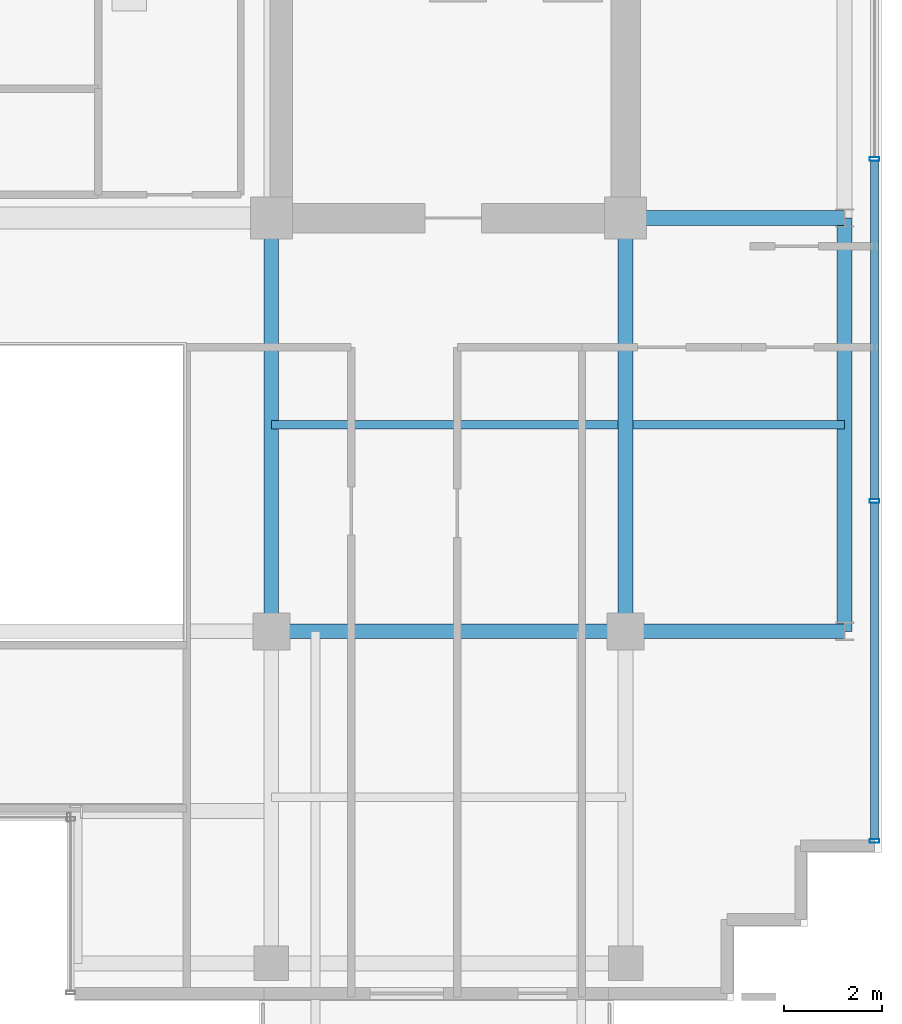
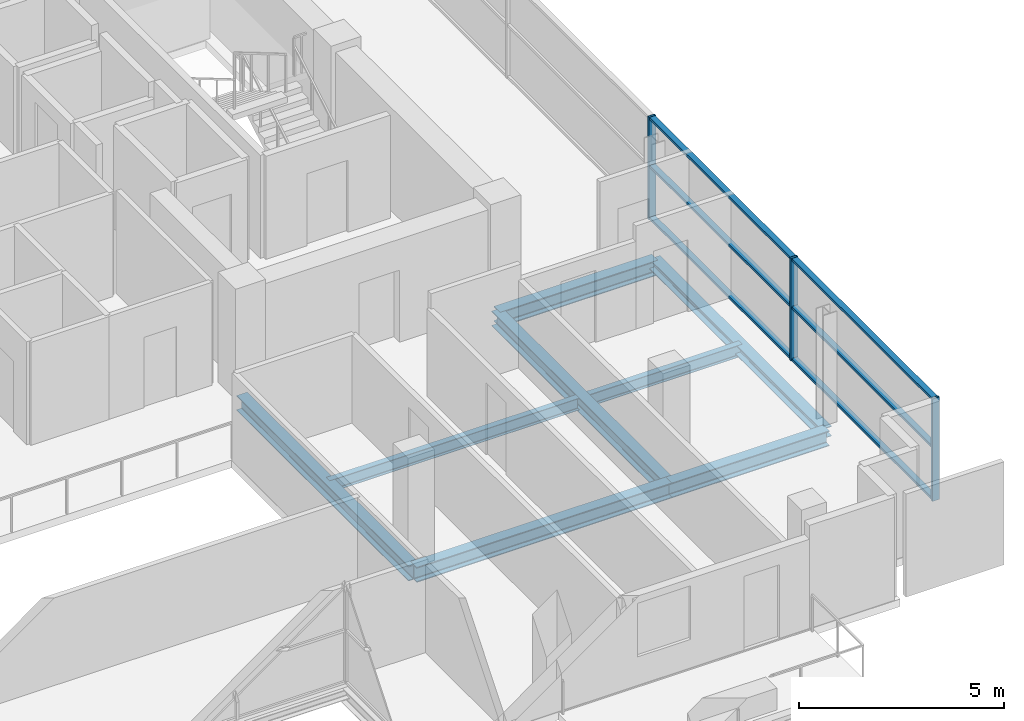
# One storey, part 8 of 22: 9 members, 8 beams, 1 element without a shape of its own.
"""IFC4 building model written with IfcOpenShell, lengths in metres."""

from ifc_helpers import new_model, si_unit, direction, frame, origin, origin_2d, place, context, subcontext, project, spatial, hollow_rectangle, i_section, extrude, source, transform, mapped, material, layer, layer_set, material_profile, profile_set, type_object, element, aggregate, save


model = new_model("IFC4")

# Units and contexts
model_context = context("Model", 3, precision=1e-05, world=origin(), true_north=direction((0.0, 1.0)))
body_context = subcontext(model_context, "Body", "Model", "MODEL_VIEW")
ifc_project = project(units=[si_unit("LENGTHUNIT", "METRE"), si_unit("AREAUNIT", "SQUARE_METRE"), si_unit("VOLUMEUNIT", "CUBIC_METRE"), si_unit("PLANEANGLEUNIT", "RADIAN"), si_unit("MASSUNIT", "GRAM", prefix="KILO")], contexts=[model_context])

# Site, building, storey
site_placement = place(None, origin())
site = spatial("IfcSite", under=ifc_project, at=site_placement, CompositionType="ELEMENT")
building_placement = place(site_placement, origin())
building = spatial("IfcBuilding", under=site, at=building_placement, Name="Zarnakvel Exchange Tower", CompositionType="ELEMENT")
storey_placement = place(building_placement, frame((0.0, 0.0, 228.699951171875)))
storey = spatial("IfcBuildingStorey", under=building, at=storey_placement, Name="L64", CompositionType="ELEMENT", Elevation=228.699951171875)

# Beams
ifc_material_1 = material(Name="Steel S355", Category="steel")
ifc_material_profile_1 = material_profile(ifc_material_1, i_section(OverallWidth=0.169921875, OverallDepth=0.360107421875, WebThickness=0.008056640625, FlangeThickness=0.0126953125, FilletRadius=0.01806640625, at=origin_2d()))
ifc_profile_set_1 = profile_set([ifc_material_profile_1], Name="Steel S355")
beam_type_1 = type_object("IfcBeamType", Name="B-07", PredefinedType="JOIST", material=ifc_profile_set_1)
beam_1_placement = place(storey_placement, frame((7.199951171875, -5.39990234375, -0.405029296875), z_axis=(1.0, 0.0, 0.0), x_axis=(0.0, 1.0, 0.0)))
element("IfcBeam", 1, at=beam_1_placement, inside=storey, type_object=beam_type_1, Name="L64 Composite Floor Secondary Joist", PredefinedType="JOIST", context=body_context, shape_type="SweptSolid", body=[
    extrude(i_section(OverallWidth=0.169921875, OverallDepth=0.360107421875, WebThickness=0.008056640625, FlangeThickness=0.0126953125, FilletRadius=0.01806640625, at=origin_2d()), origin(), (0.0, 0.0, 1.0), 7.050048828125),
])
beam_2_placement = place(storey_placement, frame((14.550048828125, -5.39990234375, -0.405029296875), z_axis=(1.0, 0.0, 0.0), x_axis=(0.0, 1.0, 0.0)))
element("IfcBeam", 2, at=beam_2_placement, inside=storey, type_object=beam_type_1, Name="L64 Composite Floor Secondary Joist", PredefinedType="JOIST", context=body_context, shape_type="SweptSolid", body=[
    extrude(i_section(OverallWidth=0.169921875, OverallDepth=0.360107421875, WebThickness=0.008056640625, FlangeThickness=0.0126953125, FilletRadius=0.01806640625, at=origin_2d()), origin(), (0.0, 0.0, 1.0), 4.300048828125),
])
ifc_material_profile_2 = material_profile(ifc_material_1, i_section(OverallWidth=0.300048828125, OverallDepth=0.449951171875, WebThickness=0.013916015625, FlangeThickness=0.02587890625, FilletRadius=0.027099609375, at=origin_2d()))
ifc_profile_set_2 = profile_set([ifc_material_profile_2], Name="Steel S355")
beam_type_2 = type_object("IfcBeamType", Name="G-07", PredefinedType="BEAM", material=ifc_profile_set_2)
beam_3_placement = place(storey_placement, frame((7.199951171875, -9.60009765625, -0.449951171875), z_axis=(1.0, 0.0, 0.0), x_axis=(0.0, 1.0, 0.0)))
element("IfcBeam", 3, at=beam_3_placement, inside=storey, type_object=beam_type_2, Name="L64 Tower E-W Frame Beam", PredefinedType="BEAM", context=body_context, shape_type="SweptSolid", body=[
    extrude(i_section(OverallWidth=0.300048828125, OverallDepth=0.449951171875, WebThickness=0.013916015625, FlangeThickness=0.02587890625, FilletRadius=0.027099609375, at=origin_2d()), origin(), (0.0, 0.0, 1.0), 7.199951171875),
])
for number, where, z_axis, x_axis, name in (
    (4, (14.39990234375, -9.60009765625, -0.449951171875), (1.0, 0.0, 0.0), (0.0, 1.0, 0.0), "L64 Tower E-W Frame Beam"),
    (5, (14.39990234375, -1.199951171875, -0.449951171875), (1.0, 0.0, 0.0), (0.0, 1.0, 0.0), "L64 Tower E-W Frame Beam"),
):
    element("IfcBeam", number, at=place(storey_placement, frame(where, z_axis=z_axis, x_axis=x_axis)), inside=storey, type_object=beam_type_2, Name=name, PredefinedType="BEAM", context=body_context, shape_type="SweptSolid", body=[
        extrude(i_section(OverallWidth=0.300048828125, OverallDepth=0.449951171875, WebThickness=0.013916015625, FlangeThickness=0.02587890625, FilletRadius=0.027099609375, at=origin_2d()), origin(), (0.0, 0.0, 1.0), 4.4501953125),
    ])
for number, where, z_axis, x_axis, name in (
    (6, (7.199951171875, -9.60009765625, -0.449951171875), (0.0, 1.0, 0.0), (-1.0, 0.0, 0.0), "L64 Tower N-S Frame Beam"),
    (7, (14.39990234375, -9.60009765625, -0.449951171875), (0.0, 1.0, 0.0), (-1.0, 0.0, 0.0), "L64 Tower N-S Frame Beam"),
):
    element("IfcBeam", number, at=place(storey_placement, frame(where, z_axis=z_axis, x_axis=x_axis)), inside=storey, type_object=beam_type_2, Name=name, PredefinedType="BEAM", context=body_context, shape_type="SweptSolid", body=[
        extrude(i_section(OverallWidth=0.300048828125, OverallDepth=0.449951171875, WebThickness=0.013916015625, FlangeThickness=0.02587890625, FilletRadius=0.027099609375, at=origin_2d()), origin(), (0.0, 0.0, 1.0), 8.400146484375),
    ])
ifc_material_profile_3 = material_profile(ifc_material_1, i_section(OverallWidth=0.300048828125, OverallDepth=0.300048828125, WebThickness=0.010986328125, FlangeThickness=0.01904296875, FilletRadius=0.027099609375, at=origin_2d()))
ifc_profile_set_3 = profile_set([ifc_material_profile_3], Name="Steel S355")
beam_type_3 = type_object("IfcBeamType", Name="SP-03", PredefinedType="SPANDREL", material=ifc_profile_set_3)
beam_4_placement = place(storey_placement, frame((18.85009765625, -9.60009765625, -0.375), z_axis=(0.0, 1.0, 0.0), x_axis=(-1.0, 0.0, 0.0)))
element("IfcBeam", 8, at=beam_4_placement, inside=storey, type_object=beam_type_3, Name="L64 Tower N-S Frame Beam", PredefinedType="SPANDREL", context=body_context, shape_type="SweptSolid", body=[
    extrude(i_section(OverallWidth=0.300048828125, OverallDepth=0.300048828125, WebThickness=0.010986328125, FlangeThickness=0.01904296875, FilletRadius=0.027099609375, at=origin_2d()), origin(), (0.0, 0.0, 1.0), 8.400146484375),
])

# Curtain wall, members
ifc_material_2 = material(Name="Architectural Bronze Anodised Aluminium", Category="aluminium")
ifc_layer = layer(ifc_material_2, 0.199951171875)
ifc_layer_set = layer_set([ifc_layer], Name="Architectural Bronze Anodised Aluminium")
curtain_wall_type = type_object("IfcCurtainWallType", Name="CW-04", PredefinedType="NOTDEFINED", material=ifc_layer_set)
curtain_wall_placement = place(storey_placement, origin())
curtain_wall = element("IfcCurtainWall", 9, at=curtain_wall_placement, inside=storey, type_object=curtain_wall_type, Name="L64 Curtain Wall CW-L64-E1 (CW-04)", PredefinedType="NOTDEFINED")
ifc_material_profile_4 = material_profile(ifc_material_2, hollow_rectangle(XDim=0.199951171875, YDim=0.074951171875, WallThickness=0.0048828125, at=origin_2d()))
ifc_profile_set_4 = profile_set([ifc_material_profile_4], Name="Architectural Bronze Anodised Aluminium")
member_type_1 = type_object("IfcMemberType", Name="CWM-04", PredefinedType="MULLION", material=ifc_profile_set_4)
shared_shape_1 = source(origin(), body_context, "Body", "SweptSolid", [
    extrude(hollow_rectangle(XDim=0.199951171875, YDim=0.074951171875, WallThickness=0.0048828125, at=origin_2d()), origin(), (0.0, 0.0, 1.0), 3.054931640625),
])
member_1_placement = place(storey_placement, frame((19.4599609375, -13.862548828125, 0.0), z_axis=(0.0, 0.0, 1.0), x_axis=(-1.0, 0.0, 0.0)))
member_1 = element("IfcMember", 10, at=member_1_placement, type_object=member_type_1, Name="CW-04 mullion 1", PredefinedType="MULLION", context=body_context, shape_type="MappedRepresentation", body=[
    mapped(shared_shape_1, transform((0.0, 0.0, 0.0), x_axis=(1.0, 0.0, 0.0), y_axis=(0.0, 1.0, 0.0), z_axis=(0.0, 0.0, 1.0), scale=1.0)),
])
member_2_placement = place(storey_placement, frame((19.4599609375, -6.949951171875, 0.0), z_axis=(0.0, 0.0, 1.0), x_axis=(-1.0, 0.0, 0.0)))
member_2 = element("IfcMember", 11, at=member_2_placement, type_object=member_type_1, Name="CW-04 mullion 2", PredefinedType="MULLION", context=body_context, shape_type="MappedRepresentation", body=[
    mapped(shared_shape_1, transform((0.0, 0.0, 0.0), x_axis=(1.0, 0.0, 0.0), y_axis=(0.0, 1.0, 0.0), z_axis=(0.0, 0.0, 1.0), scale=1.0)),
])
member_3_placement = place(storey_placement, frame((19.4599609375, 0.0, 0.0), z_axis=(0.0, 0.0, 1.0), x_axis=(-1.0, 0.0, 0.0)))
member_3 = element("IfcMember", 12, at=member_3_placement, type_object=member_type_1, Name="CW-04 mullion 3", PredefinedType="MULLION", context=body_context, shape_type="MappedRepresentation", body=[
    mapped(shared_shape_1, transform((0.0, 0.0, 0.0), x_axis=(1.0, 0.0, 0.0), y_axis=(0.0, 1.0, 0.0), z_axis=(0.0, 0.0, 1.0), scale=1.0)),
])
ifc_material_profile_5 = material_profile(ifc_material_2, hollow_rectangle(XDim=0.159912109375, YDim=0.074951171875, WallThickness=0.00390625, at=origin_2d()))
ifc_profile_set_5 = profile_set([ifc_material_profile_5], Name="Architectural Bronze Anodised Aluminium")
member_type_2 = type_object("IfcMemberType", Name="CWT-04", PredefinedType="USERDEFINED", material=ifc_profile_set_5)
shared_shape_2 = source(origin(), body_context, "Body", "SweptSolid", [
    extrude(hollow_rectangle(XDim=0.159912109375, YDim=0.074951171875, WallThickness=0.00390625, at=origin_2d()), origin(), (0.0, 0.0, 1.0), 6.83740234375),
])
member_4_placement = place(storey_placement, frame((19.4599609375, -13.824951171875, 0.03759765625), z_axis=(0.0, 1.0, 0.0), x_axis=(-1.0, 0.0, 0.0)))
member_4 = element("IfcMember", 13, at=member_4_placement, type_object=member_type_2, Name="CW-04 transom 1.1", ObjectType="TRANSOM", PredefinedType="USERDEFINED", context=body_context, shape_type="MappedRepresentation", body=[
    mapped(shared_shape_2, transform((0.0, 0.0, 0.0), x_axis=(1.0, 0.0, 0.0), y_axis=(0.0, 1.0, 0.0), z_axis=(0.0, 0.0, 1.0), scale=1.0)),
])
member_5_placement = place(storey_placement, frame((19.4599609375, -13.824951171875, 1.588623046875), z_axis=(0.0, 1.0, 0.0), x_axis=(-1.0, 0.0, 0.0)))
member_5 = element("IfcMember", 14, at=member_5_placement, type_object=member_type_2, Name="CW-04 transom 1.2", ObjectType="TRANSOM", PredefinedType="USERDEFINED", context=body_context, shape_type="MappedRepresentation", body=[
    mapped(shared_shape_2, transform((0.0, 0.0, 0.0), x_axis=(1.0, 0.0, 0.0), y_axis=(0.0, 1.0, 0.0), z_axis=(0.0, 0.0, 1.0), scale=1.0)),
])
member_6_placement = place(storey_placement, frame((19.4599609375, -13.824951171875, 3.017578125), z_axis=(0.0, 1.0, 0.0), x_axis=(-1.0, 0.0, 0.0)))
member_6 = element("IfcMember", 15, at=member_6_placement, type_object=member_type_2, Name="CW-04 transom 1.3", ObjectType="TRANSOM", PredefinedType="USERDEFINED", context=body_context, shape_type="MappedRepresentation", body=[
    mapped(shared_shape_2, transform((0.0, 0.0, 0.0), x_axis=(1.0, 0.0, 0.0), y_axis=(0.0, 1.0, 0.0), z_axis=(0.0, 0.0, 1.0), scale=1.0)),
])
shared_shape_3 = source(origin(), body_context, "Body", "SweptSolid", [
    extrude(hollow_rectangle(XDim=0.159912109375, YDim=0.074951171875, WallThickness=0.00390625, at=origin_2d()), origin(), (0.0, 0.0, 1.0), 6.875),
])
member_7_placement = place(storey_placement, frame((19.4599609375, -6.91259765625, 0.03759765625), z_axis=(0.0, 1.0, 0.0), x_axis=(-1.0, 0.0, 0.0)))
member_7 = element("IfcMember", 16, at=member_7_placement, type_object=member_type_2, Name="CW-04 transom 2.1", ObjectType="TRANSOM", PredefinedType="USERDEFINED", context=body_context, shape_type="MappedRepresentation", body=[
    mapped(shared_shape_3, transform((0.0, 0.0, 0.0), x_axis=(1.0, 0.0, 0.0), y_axis=(0.0, 1.0, 0.0), z_axis=(0.0, 0.0, 1.0), scale=1.0)),
])
member_8_placement = place(storey_placement, frame((19.4599609375, -6.91259765625, 1.588623046875), z_axis=(0.0, 1.0, 0.0), x_axis=(-1.0, 0.0, 0.0)))
member_8 = element("IfcMember", 17, at=member_8_placement, type_object=member_type_2, Name="CW-04 transom 2.2", ObjectType="TRANSOM", PredefinedType="USERDEFINED", context=body_context, shape_type="MappedRepresentation", body=[
    mapped(shared_shape_3, transform((0.0, 0.0, 0.0), x_axis=(1.0, 0.0, 0.0), y_axis=(0.0, 1.0, 0.0), z_axis=(0.0, 0.0, 1.0), scale=1.0)),
])
member_9_placement = place(storey_placement, frame((19.4599609375, -6.91259765625, 3.017578125), z_axis=(0.0, 1.0, 0.0), x_axis=(-1.0, 0.0, 0.0)))
member_9 = element("IfcMember", 18, at=member_9_placement, type_object=member_type_2, Name="CW-04 transom 2.3", ObjectType="TRANSOM", PredefinedType="USERDEFINED", context=body_context, shape_type="MappedRepresentation", body=[
    mapped(shared_shape_3, transform((0.0, 0.0, 0.0), x_axis=(1.0, 0.0, 0.0), y_axis=(0.0, 1.0, 0.0), z_axis=(0.0, 0.0, 1.0), scale=1.0)),
])
aggregate(curtain_wall, [member_1, member_2, member_3, member_4, member_5, member_6, member_7, member_8, member_9])

save(model, "model.ifc")
